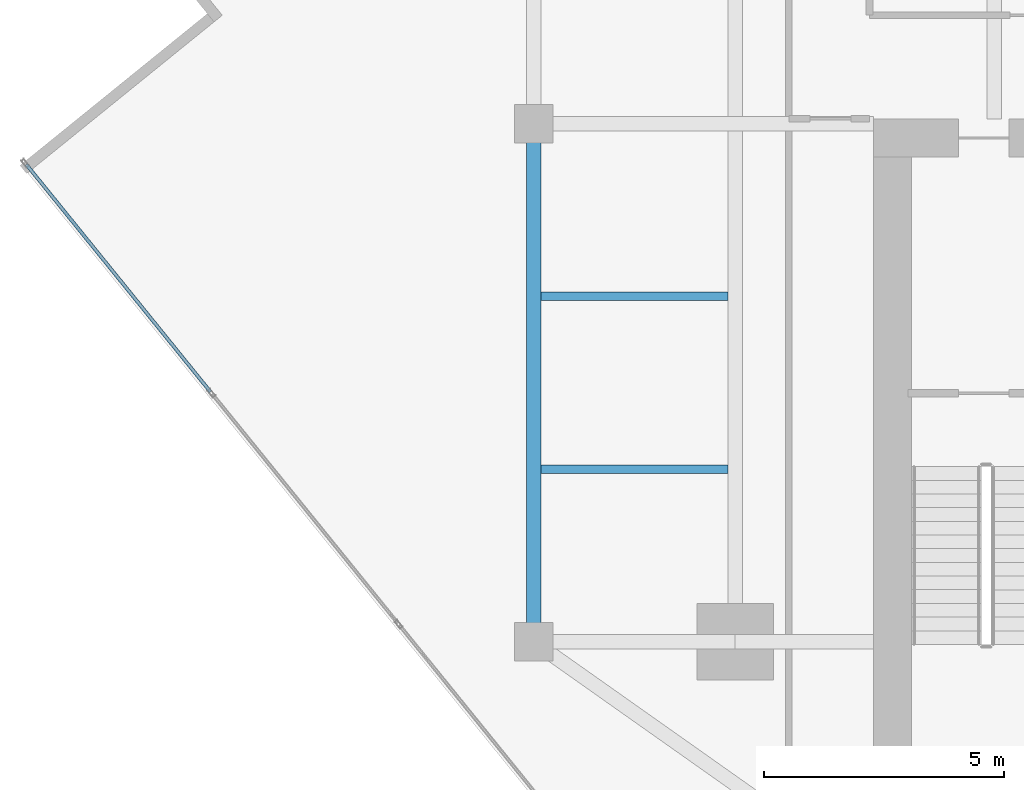
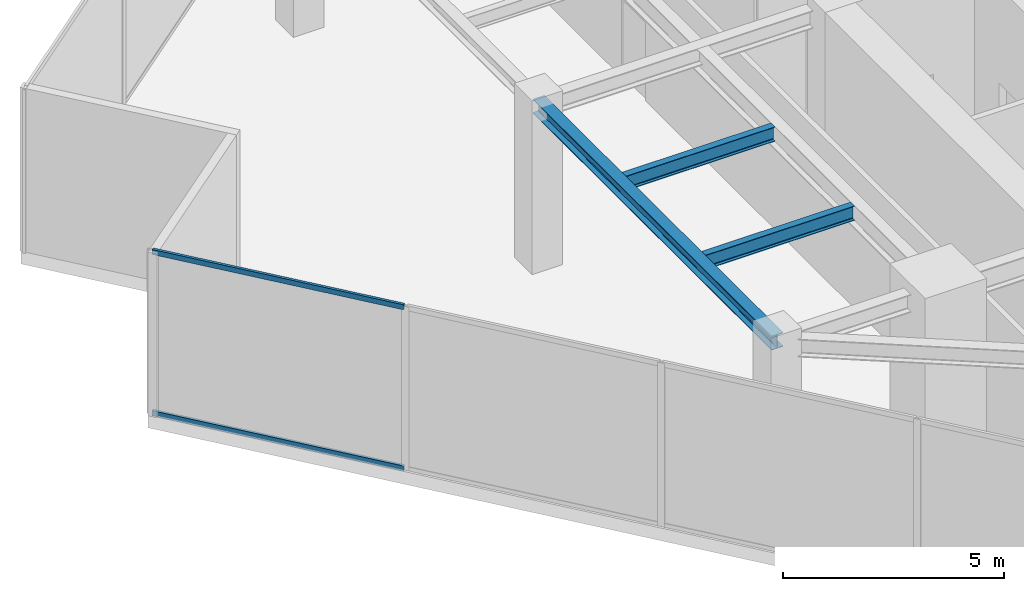
# One storey, part 5 of 22: 3 beams, 2 members, 1 element without a shape of its own.
"""IFC4 building model written with IfcOpenShell, lengths in metres."""

from ifc_helpers import new_model, si_unit, direction, frame, origin, origin_2d, place, context, subcontext, project, spatial, hollow_rectangle, i_section, extrude, source, transform, mapped, material, material_profile, profile_set, type_object, type_shapes, element, aggregate, save


model = new_model("IFC4")

# Units and contexts
model_context = context("Model", 3, precision=1e-05, world=origin(), true_north=direction((0.0, 1.0)))
body_context = subcontext(model_context, "Body", "Model", "MODEL_VIEW")
ifc_project = project(units=[si_unit("LENGTHUNIT", "METRE"), si_unit("AREAUNIT", "SQUARE_METRE"), si_unit("VOLUMEUNIT", "CUBIC_METRE"), si_unit("PLANEANGLEUNIT", "RADIAN"), si_unit("MASSUNIT", "GRAM", prefix="KILO")], contexts=[model_context])

# Site, building, storey
site_placement = place(None, origin())
site = spatial("IfcSite", under=ifc_project, at=site_placement, CompositionType="ELEMENT")
building_placement = place(site_placement, origin())
building = spatial("IfcBuilding", under=site, at=building_placement, Name="Krantzveldt Concourse Tower", CompositionType="ELEMENT")
storey_placement = place(building_placement, frame((0.0, 0.0, 262.60009765625)))
storey = spatial("IfcBuildingStorey", under=building, at=storey_placement, Name="L64", CompositionType="ELEMENT", Elevation=262.60009765625)

# Beams
ifc_material_1 = material(Name="Steel S355JR", Category="steel")
ifc_material_profile_1 = material_profile(ifc_material_1, i_section(OverallWidth=0.300048828125, OverallDepth=0.389892578125, WebThickness=0.010986328125, FlangeThickness=0.01904296875, FilletRadius=0.027099609375, at=origin_2d()), Name="Steel S355JR", Category="steel")
ifc_profile_set_1 = profile_set([ifc_material_profile_1], Name="Steel S355JR - HEA 400")
beam_type_1 = type_object("IfcBeamType", Name="BM-SP-HEA400", PredefinedType="SPANDREL", material=ifc_profile_set_1)
shared_shape_1 = source(origin(), body_context, "Body", "SweptSolid", [
    extrude(i_section(OverallWidth=0.300048828125, OverallDepth=0.389892578125, WebThickness=0.010986328125, FlangeThickness=0.01904296875, FilletRadius=0.027099609375, at=origin_2d()), origin(), (0.0, 0.0, 1.0), 10.800048828125),
])
type_shapes(beam_type_1, [shared_shape_1])
beam_placement = place(storey_placement, frame((21.0, 15.89990234375, 4.324951171875), z_axis=(0.0, 1.0, 0.0), x_axis=(-1.0, 0.0, 0.0)))
element("IfcBeam", 1, at=beam_placement, inside=storey, type_object=beam_type_1, Name="L64 Tower Girder SP-R01", PredefinedType="SPANDREL", context=body_context, shape_type="MappedRepresentation", body=[
    mapped(shared_shape_1, transform((0.0, 0.0, 0.0), x_axis=(1.0, 0.0, 0.0), y_axis=(0.0, 1.0, 0.0), z_axis=(0.0, 0.0, 1.0), scale=1.0)),
])
ifc_material_profile_2 = material_profile(ifc_material_1, i_section(OverallWidth=0.179931640625, OverallDepth=0.39990234375, WebThickness=0.008544921875, FlangeThickness=0.013427734375, FilletRadius=0.02099609375, at=origin_2d()), Name="Steel S355JR", Category="steel")
ifc_profile_set_2 = profile_set([ifc_material_profile_2], Name="Steel S355JR - IPE 400")
beam_type_2 = type_object("IfcBeamType", Name="BM-J-IPE400", PredefinedType="JOIST", material=ifc_profile_set_2)
shared_shape_2 = source(origin(), body_context, "Body", "SweptSolid", [
    extrude(i_section(OverallWidth=0.179931640625, OverallDepth=0.39990234375, WebThickness=0.008544921875, FlangeThickness=0.013427734375, FilletRadius=0.02099609375, at=origin_2d()), origin(), (0.0, 0.0, 1.0), 3.900146484375),
])
type_shapes(beam_type_2, [shared_shape_2])
for number, where, z_axis, x_axis, name in (
    (2, (21.14990234375, 19.5, 4.31982421875), (1.0, 0.0, 0.0), (0.0, 1.0, 0.0), "L64 Secondary Floor Joist JW-1"),
    (3, (21.14990234375, 23.10009765625, 4.31982421875), (1.0, 0.0, 0.0), (0.0, 1.0, 0.0), "L64 Secondary Floor Joist JW-2"),
):
    element("IfcBeam", number, at=place(storey_placement, frame(where, z_axis=z_axis, x_axis=x_axis)), inside=storey, type_object=beam_type_2, Name=name, PredefinedType="JOIST", context=body_context, shape_type="MappedRepresentation", body=[
        mapped(shared_shape_2, transform((0.0, 0.0, 0.0), x_axis=(1.0, 0.0, 0.0), y_axis=(0.0, 1.0, 0.0), z_axis=(0.0, 0.0, 1.0), scale=1.0)),
    ])

# Curtain wall, members
ifc_material_2 = material(Name="Anodised aluminium 6063-T6", Category="aluminium")
curtain_wall_type = type_object("IfcCurtainWallType", Name="CW5", PredefinedType="USERDEFINED", material=ifc_material_2)
curtain_wall_placement = place(storey_placement, origin())
curtain_wall = element("IfcCurtainWall", 4, at=curtain_wall_placement, inside=storey, type_object=curtain_wall_type, Name="CW-L64-F04", ObjectType="UNITISED CURTAIN WALL", PredefinedType="USERDEFINED")
ifc_material_profile_3 = material_profile(ifc_material_2, hollow_rectangle(XDim=0.070068359375, YDim=0.139892578125, WallThickness=0.0048828125, at=origin_2d()), Name="Anodised aluminium 6063-T6", Category="aluminium")
ifc_profile_set_3 = profile_set([ifc_material_profile_3], Name="Anodised aluminium 6063-T6 - ALU-TRAN 140x70x5")
member_type = type_object("IfcMemberType", Name="CW-TRN-150", PredefinedType="USERDEFINED", material=ifc_profile_set_3)
shared_shape_3 = source(origin(), body_context, "Body", "SweptSolid", [
    extrude(hollow_rectangle(XDim=0.070068359375, YDim=0.139892578125, WallThickness=0.0048828125, at=origin_2d()), origin(), (0.0, 0.0, 1.0), 6.094970703125),
])
type_shapes(member_type, [shared_shape_3])
member_1_placement = place(storey_placement, frame((10.427978515625, 25.846923828125, 0.034912109375), z_axis=(0.629309993119, -0.77715438142, 0.0), x_axis=(0.77715438142, 0.629309993119, 0.0)))
member_1 = element("IfcMember", 5, at=member_1_placement, type_object=member_type, Name="CW-SKY transom 1.1", ObjectType="TRANSOM", PredefinedType="USERDEFINED", context=body_context, shape_type="MappedRepresentation", body=[
    mapped(shared_shape_3, transform((0.0, 0.0, 0.0), x_axis=(1.0, 0.0, 0.0), y_axis=(0.0, 1.0, 0.0), z_axis=(0.0, 0.0, 1.0), scale=1.0)),
])
member_2_placement = place(storey_placement, frame((10.427978515625, 25.846923828125, 4.48486328125), z_axis=(0.629309993119, -0.77715438142, 0.0), x_axis=(0.77715438142, 0.629309993119, 0.0)))
member_2 = element("IfcMember", 6, at=member_2_placement, type_object=member_type, Name="CW-SKY transom 1.2", ObjectType="TRANSOM", PredefinedType="USERDEFINED", context=body_context, shape_type="MappedRepresentation", body=[
    mapped(shared_shape_3, transform((0.0, 0.0, 0.0), x_axis=(1.0, 0.0, 0.0), y_axis=(0.0, 1.0, 0.0), z_axis=(0.0, 0.0, 1.0), scale=1.0)),
])
aggregate(curtain_wall, [member_1, member_2])

save(model, "model.ifc")
